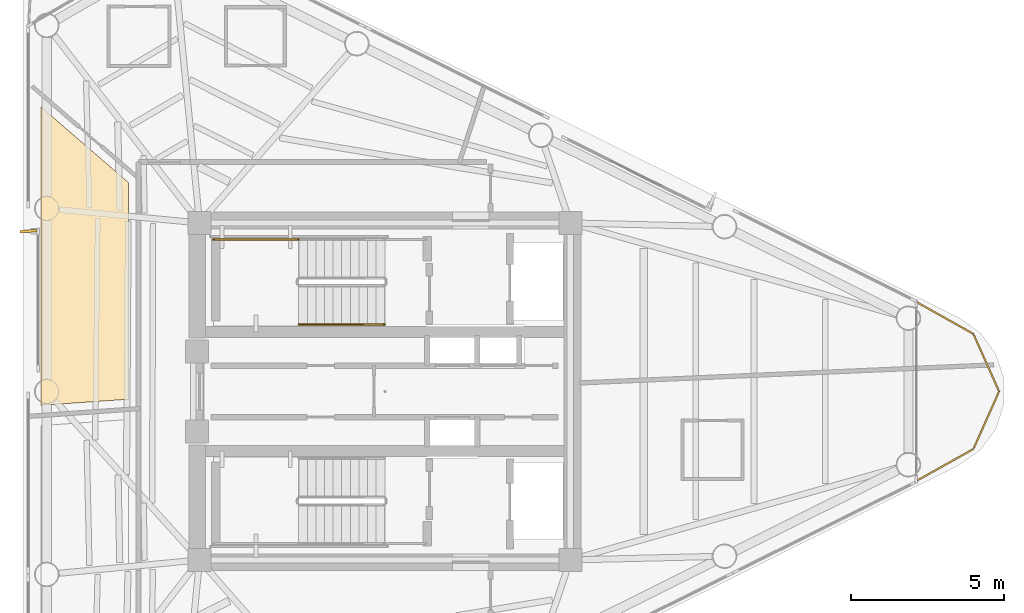
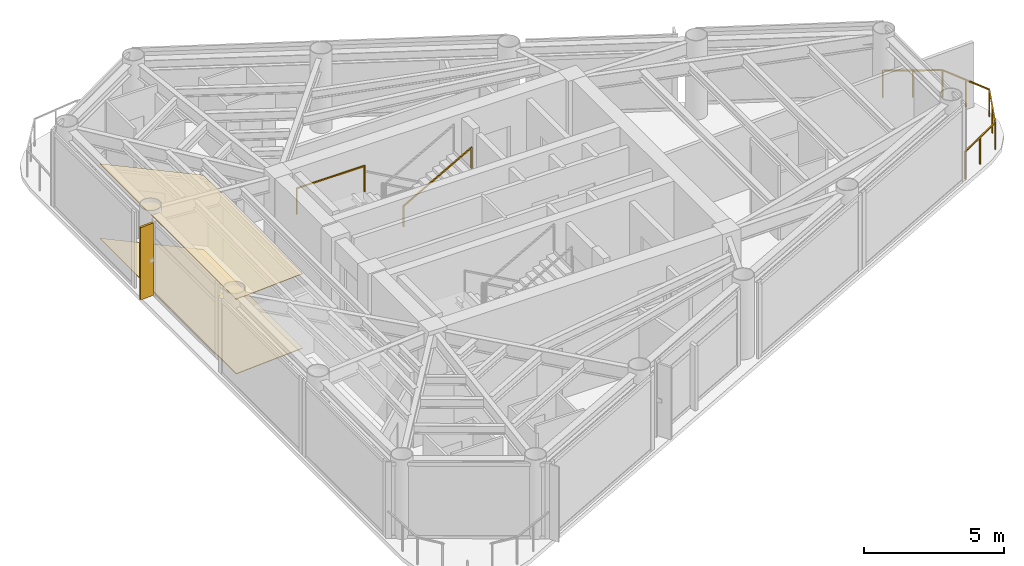
# One storey, part 9 of 10: 3 railings, 2 coverings, 1 shading device.
"""IFC4 building model written with IfcOpenShell, lengths in metres."""

from ifc_helpers import new_model, si_unit, direction, frame, origin, origin_2d, place, context, subcontext, project, spatial, polyline, rectangle, outline, extrude, source, transform, mapped, material, layer, layer_set, material_profile, profile_set, type_object, element, save


model = new_model("IFC4")

# Units and contexts
model_context = context("Model", 3, precision=1e-05, world=origin(), true_north=direction((0.0, 1.0)))
body_context = subcontext(model_context, "Body", "Model", "MODEL_VIEW")
ifc_project = project(units=[si_unit("LENGTHUNIT", "METRE"), si_unit("AREAUNIT", "SQUARE_METRE"), si_unit("VOLUMEUNIT", "CUBIC_METRE"), si_unit("PLANEANGLEUNIT", "RADIAN"), si_unit("MASSUNIT", "GRAM", prefix="KILO")], contexts=[model_context])

# Site, building, storey
site_placement = place(None, origin())
site = spatial("IfcSite", under=ifc_project, at=site_placement, CompositionType="ELEMENT")
building_placement = place(site_placement, origin())
building = spatial("IfcBuilding", under=site, at=building_placement, Name="Yunling Apex Tower", CompositionType="ELEMENT")
storey_placement = place(building_placement, frame((0.0, 0.0, 300.199951171875)))
storey = spatial("IfcBuildingStorey", under=building, at=storey_placement, Name="L73", CompositionType="ELEMENT", Elevation=300.199951171875)

# Coverings
ifc_material_1 = material(Name="Acoustic mineral fibre ceiling")
ifc_layer_1 = layer(ifc_material_1, 0.02490234375)
ifc_layer_set_1 = layer_set([ifc_layer_1], Name="Acoustic mineral fibre ceiling")
covering_type_1 = type_object("IfcCoveringType", Name="CV-CLG-1", PredefinedType="CEILING", material=ifc_layer_set_1)
covering_1_placement = place(storey_placement, frame((0.0, 0.0, 3.2451171875)))
element("IfcCovering", 1, at=covering_1_placement, inside=storey, type_object=covering_type_1, Name="CV-CL-SP-L73-U4BED", PredefinedType="CEILING", context=body_context, shape_type="SweptSolid", body=[
    extrude(outline(polyline([(-8.3701171875, 6.8173828125), (-8.3701171875, -0.25439453125), (-11.21728515625, -0.45361328125), (-11.21728515625, 9.280517578125), (-8.3701171875, 6.8173828125)])), origin(), (0.0, 0.0, 1.0), 0.02490234375),
])
ifc_material_2 = material(Name="Polished granite stone", Category="masonry")
ifc_layer_2 = layer(ifc_material_2, 0.030029296875)
ifc_layer_set_2 = layer_set([ifc_layer_2], Name="Polished granite stone")
covering_type_2 = type_object("IfcCoveringType", Name="CV-FLR-1", PredefinedType="FLOORING", material=ifc_layer_set_2)
covering_2_placement = place(storey_placement, origin())
element("IfcCovering", 2, at=covering_2_placement, inside=storey, type_object=covering_type_2, Name="CV-FL-SP-L73-U4BED", PredefinedType="FLOORING", context=body_context, shape_type="SweptSolid", body=[
    extrude(outline(polyline([(-8.3701171875, 6.8173828125), (-8.3701171875, -0.25439453125), (-11.21728515625, -0.45361328125), (-11.21728515625, 9.280517578125), (-8.3701171875, 6.8173828125)])), origin(), (0.0, 0.0, 1.0), 0.030029296875),
])

# Railings
ifc_material_3 = material(Name="Bronze anodised aluminium", Category="aluminium")
railing_type_1 = type_object("IfcRailingType", Name="RL-BAL-1200", PredefinedType="BALUSTRADE", material=ifc_material_3)
railing_1_placement = place(storey_placement, frame((17.349365234375, 2.919677734375, 0.0)))
element("IfcRailing", 3, at=railing_1_placement, inside=storey, type_object=railing_type_1, Name="RL-CRNSILL-L73-1", PredefinedType="BALUSTRADE", context=body_context, shape_type="SweptSolid", body=[
    extrude(rectangle(XDim=0.0439453125, YDim=0.0439453125, at=origin_2d()), origin(), (0.0, 0.0, 1.0), 1.199951171875),
    extrude(rectangle(XDim=0.0439453125, YDim=0.0439453125, at=origin_2d()), frame((1.85791015625, -1.040771484375, 0.0)), (0.0, 0.0, 1.0), 1.199951171875),
    extrude(rectangle(XDim=0.050048828125, YDim=0.050048828125, at=origin_2d()), frame((0.033447265625, -0.018798828125, 1.1748046875), z_axis=(0.872437584312, -0.488725548216, 0.0), x_axis=(0.488725548216, 0.872437584312, 0.0)), (0.0, 0.0, 1.0), 2.052978515625),
    extrude(rectangle(XDim=0.0439453125, YDim=0.0439453125, at=origin_2d()), frame((0.928955078125, -0.5205078125, 0.0)), (0.0, 0.0, 1.0), 1.14599609375),
    extrude(rectangle(XDim=0.0439453125, YDim=0.0439453125, at=origin_2d()), frame((2.697021484375, -2.919677734375, 0.0)), (0.0, 0.0, 1.0), 1.199951171875),
    extrude(rectangle(XDim=0.050048828125, YDim=0.050048828125, at=origin_2d()), frame((1.87353515625, -1.07568359375, 1.1748046875), z_axis=(0.407778028912, -0.913081091216, 0.0), x_axis=(0.913081091216, 0.407778028912, 0.0)), (0.0, 0.0, 1.0), 1.981201171875),
    extrude(rectangle(XDim=0.0439453125, YDim=0.0439453125, at=origin_2d()), frame((2.27734375, -1.980224609375, 0.0)), (0.0, 0.0, 1.0), 1.14599609375),
    extrude(rectangle(XDim=0.0439453125, YDim=0.0439453125, at=origin_2d()), frame((1.85791015625, -4.798583984375, 0.0)), (0.0, 0.0, 1.0), 1.199951171875),
    extrude(rectangle(XDim=0.050048828125, YDim=0.050048828125, at=origin_2d()), frame((2.681396484375, -2.95458984375, 1.1748046875), z_axis=(-0.407778028912, -0.913081091216, 0.0), x_axis=(0.913081091216, -0.407778028912, 0.0)), (0.0, 0.0, 1.0), 1.981201171875),
    extrude(rectangle(XDim=0.0439453125, YDim=0.0439453125, at=origin_2d()), frame((2.27734375, -3.859130859375, 0.0)), (0.0, 0.0, 1.0), 1.14599609375),
    extrude(rectangle(XDim=0.0439453125, YDim=0.0439453125, at=origin_2d()), frame((0.0, -5.83935546875, 0.0)), (0.0, 0.0, 1.0), 1.199951171875),
    extrude(rectangle(XDim=0.050048828125, YDim=0.050048828125, at=origin_2d()), frame((1.824462890625, -4.8173828125, 1.1748046875), z_axis=(-0.872437584312, -0.488725548216, 0.0), x_axis=(0.488725548216, -0.872437584312, 0.0)), (0.0, 0.0, 1.0), 2.052978515625),
    extrude(rectangle(XDim=0.0439453125, YDim=0.0439453125, at=origin_2d()), frame((0.928955078125, -5.31884765625, 0.0)), (0.0, 0.0, 1.0), 1.14599609375),
])
ifc_material_4 = material(Name="Steel Q355B", Category="steel")
railing_type_2 = type_object("IfcRailingType", Name="RL-GRD-1150", PredefinedType="GUARDRAIL", material=ifc_material_4)
railing_2_placement = place(storey_placement, frame((-2.81005859375, 4.9599609375, 1.72509765625)))
element("IfcRailing", 4, at=railing_2_placement, inside=storey, type_object=railing_type_2, Name="L73 ST-1 stair guard 3", PredefinedType="GUARDRAIL", context=body_context, shape_type="SweptSolid", body=[
    extrude(rectangle(XDim=0.0439453125, YDim=0.0439453125, at=origin_2d()), origin(), (0.0, 0.0, 1.0), 1.14990234375),
    extrude(rectangle(XDim=0.0439453125, YDim=0.0439453125, at=origin_2d()), frame((-2.7900390625, 0.0, 0.0)), (0.0, 0.0, 1.0), 1.14990234375),
    extrude(rectangle(XDim=0.050048828125, YDim=0.050048828125, at=origin_2d()), frame((-0.038330078125, 0.0, 1.125), z_axis=(-1.0, 0.0, 0.0), x_axis=(0.0, -1.0, 0.0)), (0.0, 0.0, 1.0), 2.71337890625),
])
ifc_material_5 = material(Name="Silver anodised aluminium", Category="aluminium")
railing_type_3 = type_object("IfcRailingType", Name="RL-HND-900", PredefinedType="HANDRAIL", material=ifc_material_5)
railing_3_placement = place(storey_placement, frame((-2.81005859375, 2.18994140625, 1.8818359375)))
element("IfcRailing", 5, at=railing_3_placement, inside=storey, type_object=railing_type_3, Name="L73 ST-1 stair handrail 2", PredefinedType="HANDRAIL", context=body_context, shape_type="SweptSolid", body=[
    extrude(rectangle(XDim=0.0439453125, YDim=0.0439453125, at=origin_2d()), origin(), (0.0, 0.0, 1.0), 0.919921875),
    extrude(rectangle(XDim=0.0439453125, YDim=0.0439453125, at=origin_2d()), frame((2.800048828125, 0.0, 1.568115234375)), (0.0, 0.0, 1.0), 0.919921875),
    extrude(rectangle(XDim=0.050048828125, YDim=0.050048828125, at=origin_2d()), frame((0.033447265625, 0.0, 0.91357421875), z_axis=(0.872494340497, 0.0, 0.48862421737), x_axis=(0.0, 1.0, 0.0)), (0.0, 0.0, 1.0), 3.132568359375),
])

# Shading device
ifc_material_profile = material_profile(ifc_material_3, rectangle(XDim=0.0849609375, YDim=0.550048828125, at=origin_2d()))
ifc_profile_set = profile_set([ifc_material_profile], Name="Bronze anodised aluminium")
shading_device_type = type_object("IfcShadingDeviceType", Name="FN-BRZ-3", PredefinedType="USERDEFINED", material=ifc_profile_set)
shared_shape = source(origin(), body_context, "Body", "SweptSolid", [
    extrude(rectangle(XDim=0.0849609375, YDim=0.550048828125, at=origin_2d()), origin(), (0.0, 0.0, 1.0), 3.14990234375),
])
shading_device_placement = place(storey_placement, frame((-11.63232421875, 5.232666015625, 0.06005859375), z_axis=(0.0, 0.0, 1.0), x_axis=(0.06540312923, -0.997858923239, 0.0)))
element("IfcShadingDevice", 6, at=shading_device_placement, inside=storey, type_object=shading_device_type, Name="CW-L73-F3-B2-FIN-01", ObjectType="FIN", PredefinedType="USERDEFINED", context=body_context, shape_type="MappedRepresentation", body=[
    mapped(shared_shape, transform((0.0, 0.0, 0.0), scale=1.0)),
])

save(model, "model.ifc")
